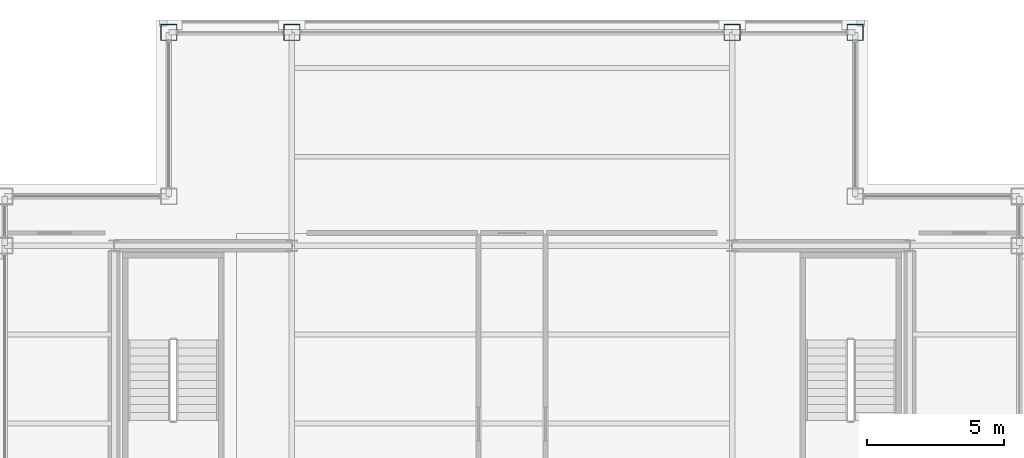
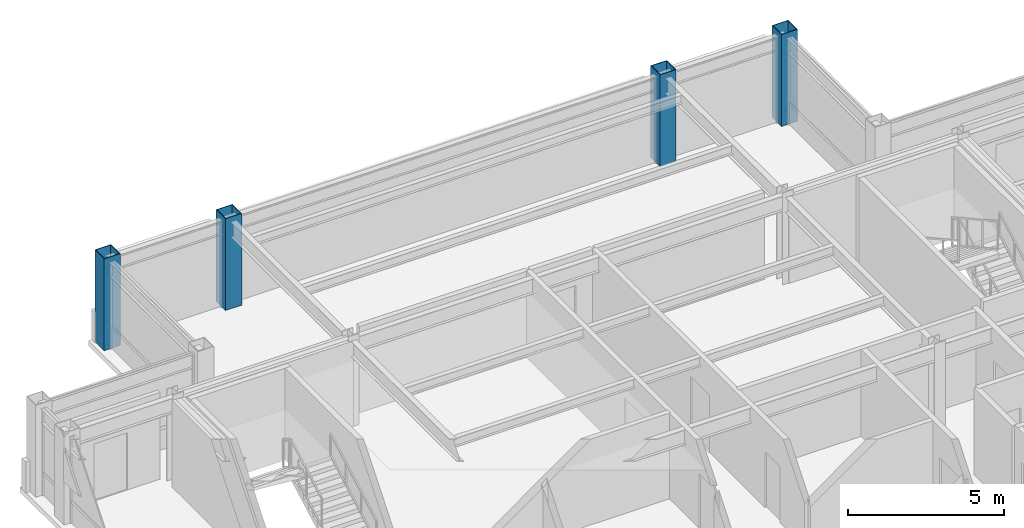
# One storey, part 2 of 27: 4 columns.
"""IFC4 building model written with IfcOpenShell, lengths in metres."""

from ifc_helpers import new_model, si_unit, direction, frame, origin, origin_2d, place, context, subcontext, project, spatial, hollow_rectangle, extrude, material, material_profile, profile_set, type_object, element, save


model = new_model("IFC4")

# Units and contexts
model_context = context("Model", 3, precision=1e-05, world=origin(), true_north=direction((0.0, 1.0)))
body_context = subcontext(model_context, "Body", "Model", "MODEL_VIEW")
ifc_project = project(units=[si_unit("LENGTHUNIT", "METRE"), si_unit("AREAUNIT", "SQUARE_METRE"), si_unit("VOLUMEUNIT", "CUBIC_METRE"), si_unit("PLANEANGLEUNIT", "RADIAN"), si_unit("MASSUNIT", "GRAM", prefix="KILO")], contexts=[model_context])

# Site, building, storey
site_placement = place(None, origin())
site = spatial("IfcSite", under=ifc_project, at=site_placement, CompositionType="ELEMENT")
building_placement = place(site_placement, origin())
building = spatial("IfcBuilding", under=site, at=building_placement, Name="Brelmoor Portico Tower", CompositionType="ELEMENT")
storey_placement = place(building_placement, frame((0.0, 0.0, 250.800048828125)))
storey = spatial("IfcBuildingStorey", under=building, at=storey_placement, Name="L66", CompositionType="ELEMENT", Elevation=250.800048828125)

# Columns
ifc_material = material(Name="Steel Q355B", Category="steel")
ifc_material_profile = material_profile(ifc_material, hollow_rectangle(XDim=0.60009765625, YDim=0.60009765625, WallThickness=0.02490234375, at=origin_2d()), Name="BOX 600x600x25")
ifc_profile_set = profile_set([ifc_material_profile], Name="Steel Q355B")
column_type = type_object("IfcColumnType", Name="COL-MEGA-600", PredefinedType="COLUMN", material=ifc_profile_set)
for number, where, z_axis, x_axis, name in (
    (1, (-12.550048828125, 17.550048828125, 0.0), (0.0, 0.0, 1.0), (1.0, 0.0, 0.0), "L66 Perimeter Mega-Column PN01"),
    (2, (-8.050048828125, 17.550048828125, 0.0), (0.0, 0.0, 1.0), (1.0, 0.0, 0.0), "L66 Perimeter Mega-Column PN02"),
    (3, (8.050048828125, 17.550048828125, 0.0), (0.0, 0.0, 1.0), (1.0, 0.0, 0.0), "L66 Perimeter Mega-Column PN03"),
    (4, (12.550048828125, 17.550048828125, 0.0), (0.0, 0.0, 1.0), (1.0, 0.0, 0.0), "L66 Perimeter Mega-Column PN04"),
):
    element("IfcColumn", number, at=place(storey_placement, frame(where, z_axis=z_axis, x_axis=x_axis)), inside=storey, type_object=column_type, Name=name, PredefinedType="COLUMN", context=body_context, shape_type="SweptSolid", body=[
        extrude(hollow_rectangle(XDim=0.60009765625, YDim=0.60009765625, WallThickness=0.02490234375, at=origin_2d()), origin(), (0.0, 0.0, 1.0), 3.599853515625),
    ])

save(model, "model.ifc")
